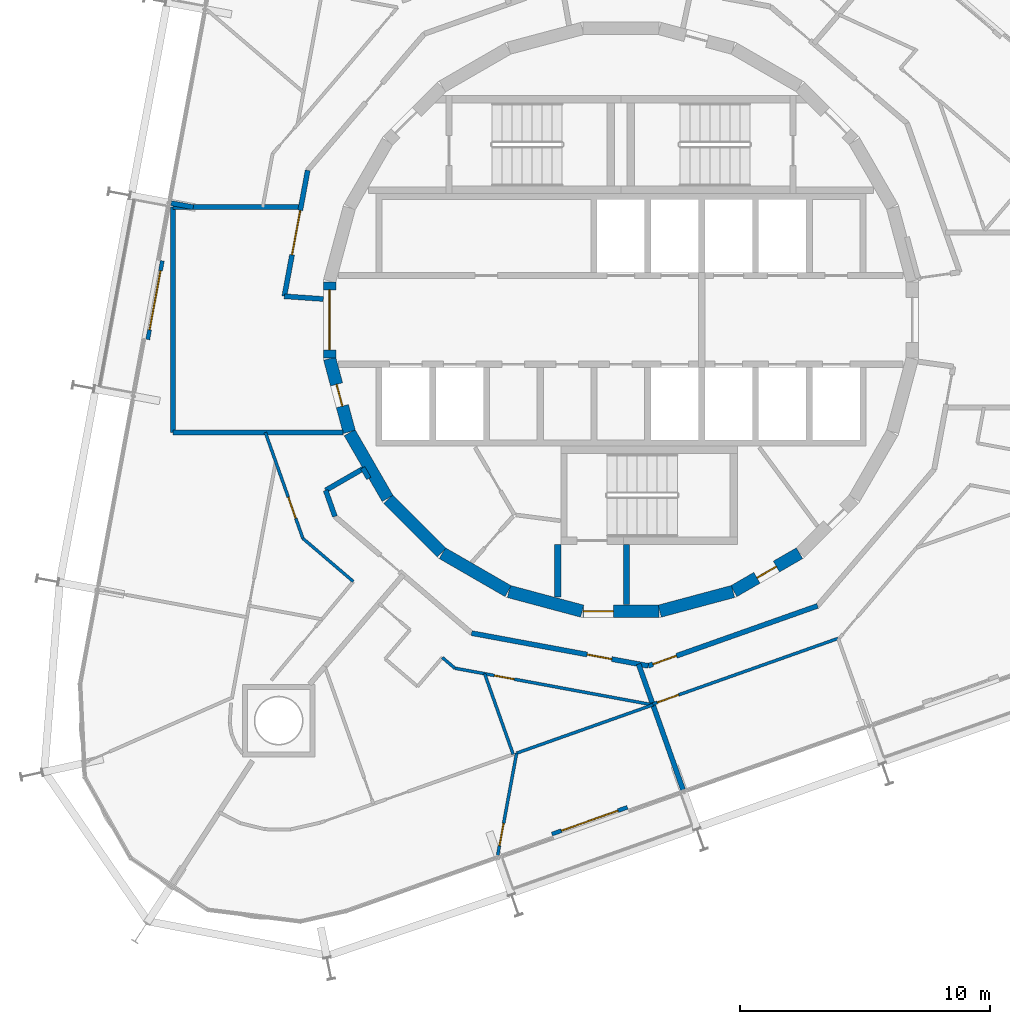
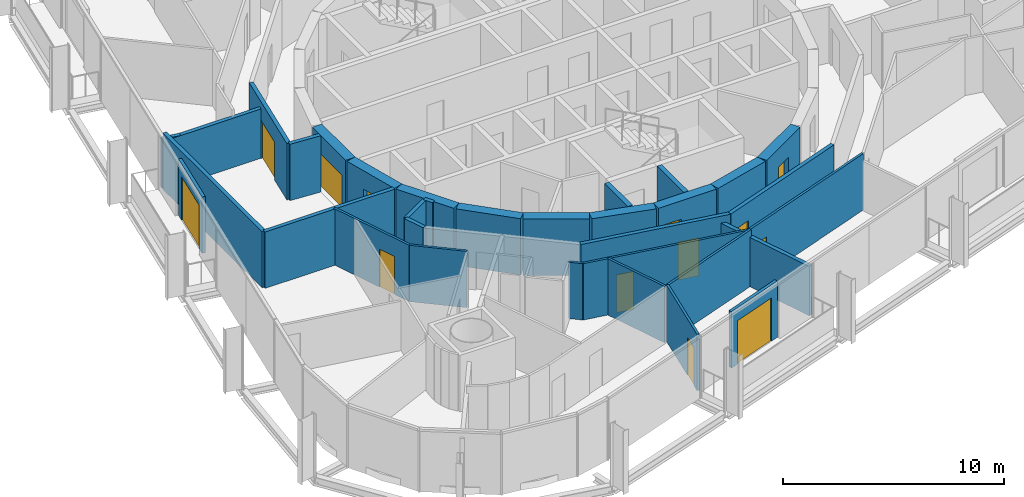
# One storey, part 11 of 17: 33 walls, 13 doors, 13 openings.
"""IFC4 building model written with IfcOpenShell, lengths in metres."""

from ifc_helpers import new_model, si_unit, direction, frame, frame_2d, origin, place, context, subcontext, project, spatial, rectangle, extrude, material, layer, layer_set, type_object, element, fill, save


model = new_model("IFC4")

# Units and contexts
model_context = context("Model", 3, precision=1e-05, world=origin(), true_north=direction((0.0, 1.0)))
body_context = subcontext(model_context, "Body", "Model", "MODEL_VIEW")
ifc_project = project(units=[si_unit("LENGTHUNIT", "METRE"), si_unit("AREAUNIT", "SQUARE_METRE"), si_unit("VOLUMEUNIT", "CUBIC_METRE"), si_unit("PLANEANGLEUNIT", "RADIAN"), si_unit("MASSUNIT", "GRAM", prefix="KILO")], contexts=[model_context])

# Site, building, storey
site_placement = place(None, origin())
site = spatial("IfcSite", under=ifc_project, at=site_placement, CompositionType="ELEMENT")
building_placement = place(site_placement, origin())
building = spatial("IfcBuilding", under=site, at=building_placement, Name="Spindle Arch Residences", CompositionType="ELEMENT")
storey_placement = place(building_placement, frame((0.0, 0.0, 158.699951171875)))
storey = spatial("IfcBuildingStorey", under=building, at=storey_placement, Name="L39", CompositionType="ELEMENT", Elevation=158.699951171875)

# Wall
ifc_material_1 = material(Name="Concrete C50/60", Category="concrete")
ifc_layer_1 = layer(ifc_material_1, 0.5)
ifc_layer_set_1 = layer_set([ifc_layer_1], Name="Core outline wall 500")
wall_type_1 = type_object("IfcWallType", Name="Core outline wall 500", PredefinedType="SHEAR", material=ifc_layer_set_1)
wall_1_placement = place(storey_placement, frame((1.5498046875, -11.642822265625, 0.0), z_axis=(0.0, 0.0, 1.0), x_axis=(0.965948410781, 0.258734743916, 0.0)))
element("IfcWall", 1, at=wall_1_placement, inside=storey, type_object=wall_type_1, Name="Core outline wall 1", PredefinedType="SHEAR", context=body_context, shape_type="SweptSolid", body=[
    extrude(rectangle(XDim=3.03271484375, YDim=0.5, at=frame_2d((1.516357421875, 0.0))), origin(), (0.0, 0.0, 1.0), 3.1201171875),
])

# Wall, opening, door
wall_2_placement = place(storey_placement, frame((4.510498046875, -10.84521484375, 0.0), z_axis=(0.0, 0.0, 1.0), x_axis=(0.865975092491, 0.500087131594, 0.0)))
wall_2 = element("IfcWall", 2, at=wall_2_placement, inside=storey, type_object=wall_type_1, Name="Core outline wall 2", PredefinedType="SHEAR", context=body_context, shape_type="SweptSolid", body=[
    extrude(rectangle(XDim=3.03271484375, YDim=0.5, at=frame_2d((1.516357421875, 0.0))), origin(), (0.0, 0.0, 1.0), 3.1201171875),
])
opening_1_placement = place(wall_2_placement, frame((1.06640625, 0.0, 0.0)))
opening_1 = element("IfcOpeningElement", 3, at=opening_1_placement, cuts=wall_2, Name="Opening R4A0-WD08", PredefinedType="OPENING", context=body_context, shape_type="SweptSolid", body=[
    extrude(rectangle(XDim=0.89990234375, YDim=2.10009765625, at=frame_2d((0.449951171875, 1.050048828125))), frame((0.0, 0.260009765625, 0.0), z_axis=(0.0, -1.0, 0.0), x_axis=(1.0, 0.0, 0.0)), (0.0, 0.0, 1.0), 0.52001953125),
])
ifc_material_2 = material(Name="Steel, fire-resisting door", Category="steel")
door_type_1 = type_object("IfcDoorType", Name="Service room door 900x2100", OperationType="SINGLE_SWING_LEFT", PredefinedType="DOOR", material=ifc_material_2)
door_1_placement = place(opening_1_placement, origin())
door_1 = element("IfcDoor", 4, at=door_1_placement, inside=storey, type_object=door_type_1, Name="Service room door R4A0-WD08", OperationType="SINGLE_SWING_RIGHT", OverallHeight=2.10009765625, OverallWidth=0.89990234375, PredefinedType="DOOR", context=body_context, shape_type="SweptSolid", body=[
    extrude(rectangle(XDim=0.89990234375, YDim=2.10009765625, at=frame_2d((0.449951171875, 1.050048828125))), frame((0.0, 0.02490234375, 0.0), z_axis=(0.0, -1.0, 0.0), x_axis=(1.0, 0.0, 0.0)), (0.0, 0.0, 1.0), 0.050048828125),
])
fill(opening_1, door_1)

wall_3_placement = place(storey_placement, frame((-11.647216796875, 1.516357421875, 0.0), z_axis=(0.0, 0.0, 1.0), x_axis=(0.0, -1.0, 0.0)))
wall_3 = element("IfcWall", 5, at=wall_3_placement, inside=storey, type_object=wall_type_1, Name="Core outline wall 18", PredefinedType="SHEAR", context=body_context, shape_type="SweptSolid", body=[
    extrude(rectangle(XDim=3.03271484375, YDim=0.5, at=frame_2d((1.516357421875, 0.0))), origin(), (0.0, 0.0, 1.0), 3.1201171875),
])
opening_2_placement = place(wall_3_placement, frame((0.31640625, 0.0, 0.0)))
opening_2 = element("IfcOpeningElement", 6, at=opening_2_placement, cuts=wall_3, Name="Opening R4A0-LE01", PredefinedType="OPENING", context=body_context, shape_type="SweptSolid", body=[
    extrude(rectangle(XDim=2.39990234375, YDim=2.10009765625, at=frame_2d((1.199951171875, 1.050048828125))), frame((0.0, 0.260009765625, 0.0), z_axis=(0.0, -1.0, 0.0), x_axis=(1.0, 0.0, 0.0)), (0.0, 0.0, 1.0), 0.52001953125),
])
ifc_material_3 = material(Name="Steel, fire-resisting door", Category="steel")
door_type_2 = type_object("IfcDoorType", Name="Lift lobby entrance door 2400x2100", OperationType="DOUBLE_DOOR_SINGLE_SWING", PredefinedType="DOOR", material=ifc_material_3)
door_2_placement = place(opening_2_placement, origin())
door_2 = element("IfcDoor", 7, at=door_2_placement, inside=storey, type_object=door_type_2, Name="Lift lobby entrance door R4A0-LE01", OperationType="DOUBLE_DOOR_SINGLE_SWING", OverallHeight=2.10009765625, OverallWidth=2.39990234375, PredefinedType="DOOR", context=body_context, shape_type="SweptSolid", body=[
    extrude(rectangle(XDim=2.39990234375, YDim=2.10009765625, at=frame_2d((1.199951171875, 1.050048828125))), frame((0.0, 0.02490234375, 0.0), z_axis=(0.0, -1.0, 0.0), x_axis=(1.0, 0.0, 0.0)), (0.0, 0.0, 1.0), 0.050048828125),
])
fill(opening_2, door_2)

wall_4_placement = place(storey_placement, frame((-11.642822265625, -1.5498046875, 0.0), z_axis=(0.0, 0.0, 1.0), x_axis=(0.258734743916, -0.965948410781, 0.0)))
wall_4 = element("IfcWall", 8, at=wall_4_placement, inside=storey, type_object=wall_type_1, Name="Core outline wall 19", PredefinedType="SHEAR", context=body_context, shape_type="SweptSolid", body=[
    extrude(rectangle(XDim=3.03271484375, YDim=0.5, at=frame_2d((1.516357421875, 0.0))), origin(), (0.0, 0.0, 1.0), 3.1201171875),
])
opening_3_placement = place(wall_4_placement, frame((1.06640625, 0.0, 0.0)))
opening_3 = element("IfcOpeningElement", 9, at=opening_3_placement, cuts=wall_4, Name="Opening R4A0-WD10", PredefinedType="OPENING", context=body_context, shape_type="SweptSolid", body=[
    extrude(rectangle(XDim=0.89990234375, YDim=2.10009765625, at=frame_2d((0.449951171875, 1.050048828125))), frame((0.0, 0.260009765625, 0.0), z_axis=(0.0, -1.0, 0.0), x_axis=(1.0, 0.0, 0.0)), (0.0, 0.0, 1.0), 0.52001953125),
])
door_3_placement = place(opening_3_placement, origin())
door_3 = element("IfcDoor", 10, at=door_3_placement, inside=storey, type_object=door_type_1, Name="Service room door R4A0-WD10", OperationType="SINGLE_SWING_RIGHT", OverallHeight=2.10009765625, OverallWidth=0.89990234375, PredefinedType="DOOR", context=body_context, shape_type="SweptSolid", body=[
    extrude(rectangle(XDim=0.89990234375, YDim=2.10009765625, at=frame_2d((0.449951171875, 1.050048828125))), frame((0.0, 0.02490234375, 0.0), z_axis=(0.0, -1.0, 0.0), x_axis=(1.0, 0.0, 0.0)), (0.0, 0.0, 1.0), 0.050048828125),
])
fill(opening_3, door_3)

# Walls
wall_5_placement = place(storey_placement, frame((-10.84521484375, -4.510498046875, 0.0), z_axis=(0.0, 0.0, 1.0), x_axis=(0.500087131594, -0.865975092491, 0.0)))
element("IfcWall", 11, at=wall_5_placement, inside=storey, type_object=wall_type_1, Name="Core outline wall 20", PredefinedType="SHEAR", context=body_context, shape_type="SweptSolid", body=[
    extrude(rectangle(XDim=3.03271484375, YDim=0.5, at=frame_2d((1.516357421875, 0.0))), origin(), (0.0, 0.0, 1.0), 3.1201171875),
])
wall_6_placement = place(storey_placement, frame((-9.30810546875, -7.163818359375, 0.0), z_axis=(0.0, 0.0, 1.0), x_axis=(0.707106781187, -0.707106781187, 0.0)))
element("IfcWall", 12, at=wall_6_placement, inside=storey, type_object=wall_type_1, Name="Core outline wall 21", PredefinedType="SHEAR", context=body_context, shape_type="SweptSolid", body=[
    extrude(rectangle(XDim=3.032470703125, YDim=0.5, at=frame_2d((1.51611328125, 0.0))), origin(), (0.0, 0.0, 1.0), 3.1201171875),
])
for number, where, z_axis, x_axis, name in (
    (13, (-7.13671875, -9.32861328125, 0.0), (0.0, 0.0, 1.0), (0.865975092491, -0.500087131594, 0.0), "Core outline wall 22"),
    (14, (-4.479248046875, -10.858154296875, 0.0), (0.0, 0.0, 1.0), (0.965948410781, -0.258734743916, 0.0), "Core outline wall 23"),
):
    element("IfcWall", number, at=place(storey_placement, frame(where, z_axis=z_axis, x_axis=x_axis)), inside=storey, type_object=wall_type_1, Name=name, PredefinedType="SHEAR", context=body_context, shape_type="SweptSolid", body=[
        extrude(rectangle(XDim=3.03271484375, YDim=0.5, at=frame_2d((1.516357421875, 0.0))), origin(), (0.0, 0.0, 1.0), 3.1201171875),
    ])

# Wall, opening, door
wall_7_placement = place(storey_placement, frame((-1.516357421875, -11.647216796875, 0.0), z_axis=(0.0, 0.0, 1.0), x_axis=(1.0, 0.0, 0.0)))
wall_7 = element("IfcWall", 15, at=wall_7_placement, inside=storey, type_object=wall_type_1, Name="Core outline wall 24", PredefinedType="SHEAR", context=body_context, shape_type="SweptSolid", body=[
    extrude(rectangle(XDim=3.03271484375, YDim=0.5, at=frame_2d((1.516357421875, 0.0))), origin(), (0.0, 0.0, 1.0), 3.1201171875),
])
opening_4_placement = place(wall_7_placement, frame((0.016357421875, 0.0, 0.0)))
opening_4 = element("IfcOpeningElement", 16, at=opening_4_placement, cuts=wall_7, Name="Opening R4A0-AD03", PredefinedType="OPENING", context=body_context, shape_type="SweptSolid", body=[
    extrude(rectangle(XDim=1.199951171875, YDim=2.10009765625, at=frame_2d((0.60009765625, 1.050048828125))), frame((0.0, 0.260009765625, 0.0), z_axis=(0.0, -1.0, 0.0), x_axis=(1.0, 0.0, 0.0)), (0.0, 0.0, 1.0), 0.52001953125),
])
ifc_material_4 = material(Name="Steel, fire-resisting door", Category="steel")
door_type_3 = type_object("IfcDoorType", Name="Stair airlock door 1200x2100", OperationType="SINGLE_SWING_LEFT", PredefinedType="DOOR", material=ifc_material_4)
door_4_placement = place(opening_4_placement, origin())
door_4 = element("IfcDoor", 17, at=door_4_placement, inside=storey, type_object=door_type_3, Name="Stair airlock door R4A0-AD03", OperationType="SINGLE_SWING_RIGHT", OverallHeight=2.10009765625, OverallWidth=1.199951171875, PredefinedType="DOOR", context=body_context, shape_type="SweptSolid", body=[
    extrude(rectangle(XDim=1.199951171875, YDim=2.10009765625, at=frame_2d((0.60009765625, 1.050048828125))), frame((0.0, 0.02490234375, 0.0), z_axis=(0.0, -1.0, 0.0), x_axis=(1.0, 0.0, 0.0)), (0.0, 0.0, 1.0), 0.050048828125),
])
fill(opening_4, door_4)

# Walls
ifc_material_5 = material(Name="Calcium silicate block, plastered")
ifc_layer_2 = layer(ifc_material_5, 0.199951171875)
ifc_layer_set_2 = layer_set([ifc_layer_2], Name="Corridor wall 200")
wall_type_2 = type_object("IfcWallType", Name="Corridor wall 200", PredefinedType="STANDARD", material=ifc_layer_set_2)
wall_8_placement = place(storey_placement, frame((-10.323486328125, -5.9140625, 0.0), z_axis=(0.0, 0.0, 1.0), x_axis=(0.500137201729, -0.865946175837, 0.0)))
element("IfcWall", 18, at=wall_8_placement, inside=storey, type_object=wall_type_2, Name="Corridor wall R4A0-W014", PredefinedType="STANDARD", context=body_context, shape_type="SweptSolid", body=[
    extrude(rectangle(XDim=0.492431640625, YDim=0.199951171875, at=frame_2d((0.24609375, 0.0))), origin(), (0.0, 0.0, 1.0), 3.1201171875),
])
wall_9_placement = place(storey_placement, frame((-10.303466796875, -5.94873046875, 0.0), z_axis=(0.0, 0.0, 1.0), x_axis=(-0.866021168401, -0.500007335828, 0.0)))
element("IfcWall", 19, at=wall_9_placement, inside=storey, type_object=wall_type_2, Name="Corridor wall R4A0-W015", PredefinedType="STANDARD", context=body_context, shape_type="SweptSolid", body=[
    extrude(rectangle(XDim=1.73095703125, YDim=0.199951171875, at=frame_2d((0.865478515625, 0.0))), origin(), (0.0, 0.0, 1.0), 3.1201171875),
])
wall_10_placement = place(storey_placement, frame((-11.802490234375, -6.814208984375, 0.0), z_axis=(0.0, 0.0, 1.0), x_axis=(0.333904297771, -0.942606980629, 0.0)))
element("IfcWall", 20, at=wall_10_placement, inside=storey, type_object=wall_type_2, Name="Corridor wall R4A0-W016", PredefinedType="STANDARD", context=body_context, shape_type="SweptSolid", body=[
    extrude(rectangle(XDim=1.10693359375, YDim=0.199951171875, at=frame_2d((0.553466796875, 0.0))), origin(), (0.0, 0.0, 1.0), 3.1201171875),
])

# Wall, opening, door
wall_11_placement = place(storey_placement, frame((-5.972412109375, -12.521240234375, 0.0), z_axis=(0.0, 0.0, 1.0), x_axis=(0.983256068163, -0.18222926335, 0.0)))
wall_11 = element("IfcWall", 21, at=wall_11_placement, inside=storey, type_object=wall_type_2, Name="Corridor wall R4A0-W018", PredefinedType="STANDARD", context=body_context, shape_type="SweptSolid", body=[
    extrude(rectangle(XDim=7.180908203125, YDim=0.199951171875, at=frame_2d((3.59033203125, 0.0))), origin(), (0.0, 0.0, 1.0), 3.1201171875),
])
opening_5_placement = place(wall_11_placement, frame((4.699951171875, 0.0, 0.0)))
opening_5 = element("IfcOpeningElement", 22, at=opening_5_placement, cuts=wall_11, Name="Opening R4A0-FD05", PredefinedType="OPENING", context=body_context, shape_type="SweptSolid", body=[
    extrude(rectangle(XDim=1.0, YDim=2.10009765625, at=frame_2d((0.5, 1.050048828125))), frame((0.0, 0.10986328125, 0.0), z_axis=(0.0, -1.0, 0.0), x_axis=(1.0, 0.0, 0.0)), (0.0, 0.0, 1.0), 0.219970703125),
])
ifc_material_6 = material(Name="Timber, fire-resisting door set", Category="wood")
door_type_4 = type_object("IfcDoorType", Name="Flat entrance door 1000x2100", OperationType="NOTDEFINED", PredefinedType="DOOR", material=ifc_material_6)
door_5_placement = place(opening_5_placement, origin())
door_5 = element("IfcDoor", 23, at=door_5_placement, inside=storey, type_object=door_type_4, Name="Flat entrance door R4A0-FD05", OperationType="SINGLE_SWING_LEFT", OverallHeight=2.10009765625, OverallWidth=1.0, PredefinedType="DOOR", context=body_context, shape_type="SweptSolid", body=[
    extrude(rectangle(XDim=1.0, YDim=2.10009765625, at=frame_2d((0.5, 1.050048828125))), frame((0.0, 0.02490234375, 0.0), z_axis=(0.0, -1.0, 0.0), x_axis=(1.0, 0.0, 0.0)), (0.0, 0.0, 1.0), 0.050048828125),
])
fill(opening_5, door_5)

wall_12_placement = place(storey_placement, frame((1.08837890625, -13.829833984375, 0.0), z_axis=(0.0, 0.0, 1.0), x_axis=(0.942648397945, 0.333787354241, 0.0)))
wall_12 = element("IfcWall", 24, at=wall_12_placement, inside=storey, type_object=wall_type_2, Name="Corridor wall R4A0-W019", PredefinedType="STANDARD", context=body_context, shape_type="SweptSolid", body=[
    extrude(rectangle(XDim=7.18115234375, YDim=0.199951171875, at=frame_2d((3.590576171875, 0.0))), origin(), (0.0, 0.0, 1.0), 3.1201171875),
])
opening_6_placement = place(wall_12_placement, frame((0.199951171875, 0.0, 0.0)))
opening_6 = element("IfcOpeningElement", 25, at=opening_6_placement, cuts=wall_12, Name="Opening R4A0-FD06", PredefinedType="OPENING", context=body_context, shape_type="SweptSolid", body=[
    extrude(rectangle(XDim=1.0, YDim=2.10009765625, at=frame_2d((0.5, 1.050048828125))), frame((0.0, 0.10986328125, 0.0), z_axis=(0.0, -1.0, 0.0), x_axis=(1.0, 0.0, 0.0)), (0.0, 0.0, 1.0), 0.219970703125),
])
door_6_placement = place(opening_6_placement, origin())
door_6 = element("IfcDoor", 26, at=door_6_placement, inside=storey, type_object=door_type_4, Name="Flat entrance door R4A0-FD06", OperationType="SINGLE_SWING_LEFT", OverallHeight=2.10009765625, OverallWidth=1.0, PredefinedType="DOOR", context=body_context, shape_type="SweptSolid", body=[
    extrude(rectangle(XDim=1.0, YDim=2.10009765625, at=frame_2d((0.5, 1.050048828125))), frame((0.0, 0.02490234375, 0.0), z_axis=(0.0, -1.0, 0.0), x_axis=(1.0, 0.0, 0.0)), (0.0, 0.0, 1.0), 0.050048828125),
])
fill(opening_6, door_6)

ifc_material_7 = material(Name="Plasterboard on steel studs", Category="steel")
ifc_layer_3 = layer(ifc_material_7, 0.1201171875)
ifc_layer_set_3 = layer_set([ifc_layer_3], Name="Flat partition 120")
wall_type_3 = type_object("IfcWallType", Name="Flat partition 120", PredefinedType="PARTITIONING", material=ifc_layer_set_3)
wall_13_placement = place(storey_placement, frame((-14.213134765625, -4.5, 0.0), z_axis=(0.0, 0.0, 1.0), x_axis=(0.333802904542, -0.942642891513, 0.0)))
wall_13 = element("IfcWall", 27, at=wall_13_placement, inside=storey, type_object=wall_type_3, Name="Flat partition R4A0-W085", PredefinedType="PARTITIONING", context=body_context, shape_type="SweptSolid", body=[
    extrude(rectangle(XDim=4.4951171875, YDim=0.1201171875, at=frame_2d((2.24755859375, 0.0))), origin(), (0.0, 0.0, 1.0), 3.1201171875),
])
opening_7_placement = place(wall_13_placement, frame((2.744384765625, 0.0, 0.0)))
opening_7 = element("IfcOpeningElement", 28, at=opening_7_placement, cuts=wall_13, Name="Opening R4A0-ID16", PredefinedType="OPENING", context=body_context, shape_type="SweptSolid", body=[
    extrude(rectangle(XDim=0.89990234375, YDim=2.10009765625, at=frame_2d((0.449951171875, 1.050048828125))), frame((0.0, 0.070068359375, 0.0), z_axis=(0.0, -1.0, 0.0), x_axis=(1.0, 0.0, 0.0)), (0.0, 0.0, 1.0), 0.14013671875),
])
ifc_material_8 = material(Name="Timber door set", Category="wood")
door_type_5 = type_object("IfcDoorType", Name="Room door 900x2100", OperationType="NOTDEFINED", PredefinedType="DOOR", material=ifc_material_8)
door_7_placement = place(opening_7_placement, origin())
door_7 = element("IfcDoor", 29, at=door_7_placement, inside=storey, type_object=door_type_5, Name="Room door R4A0-ID16", OperationType="SINGLE_SWING_RIGHT", OverallHeight=2.10009765625, OverallWidth=0.89990234375, PredefinedType="DOOR", context=body_context, shape_type="SweptSolid", body=[
    extrude(rectangle(XDim=0.89990234375, YDim=2.10009765625, at=frame_2d((0.449951171875, 1.050048828125))), frame((0.0, 0.02490234375, 0.0), z_axis=(0.0, -1.0, 0.0), x_axis=(1.0, 0.0, 0.0)), (0.0, 0.0, 1.0), 0.050048828125),
])
fill(opening_7, door_7)

# Walls
wall_14_placement = place(storey_placement, frame((-12.712646484375, -8.7373046875, 0.0), z_axis=(0.0, 0.0, 1.0), x_axis=(0.760400223405, -0.649454771517, 0.0)))
element("IfcWall", 30, at=wall_14_placement, inside=storey, type_object=wall_type_3, Name="Flat partition R4A0-W086", PredefinedType="PARTITIONING", context=body_context, shape_type="SweptSolid", body=[
    extrude(rectangle(XDim=2.6494140625, YDim=0.1201171875, at=frame_2d((1.32470703125, 0.0))), origin(), (0.0, 0.0, 1.0), 3.1201171875),
])
wall_15_placement = place(storey_placement, frame((-7.14013671875, -13.49658203125, 0.0), z_axis=(0.0, 0.0, 1.0), x_axis=(0.760515230334, -0.649320093967, 0.0)))
element("IfcWall", 31, at=wall_15_placement, inside=storey, type_object=wall_type_3, Name="Flat partition R4A0-W100", PredefinedType="PARTITIONING", context=body_context, shape_type="SweptSolid", body=[
    extrude(rectangle(XDim=0.656494140625, YDim=0.1201171875, at=frame_2d((0.328125, 0.0))), origin(), (0.0, 0.0, 1.0), 3.1201171875),
])

# Wall, opening, door
wall_16_placement = place(storey_placement, frame((-6.640869140625, -13.9228515625, 0.0), z_axis=(0.0, 0.0, 1.0), x_axis=(0.983250157272, -0.182261153912, 0.0)))
wall_16 = element("IfcWall", 32, at=wall_16_placement, inside=storey, type_object=wall_type_3, Name="Flat partition R4A0-W101", PredefinedType="PARTITIONING", context=body_context, shape_type="SweptSolid", body=[
    extrude(rectangle(XDim=7.98486328125, YDim=0.1201171875, at=frame_2d((3.992431640625, 0.0))), origin(), (0.0, 0.0, 1.0), 3.1201171875),
])
opening_8_placement = place(wall_16_placement, frame((1.6123046875, 0.0, 0.0)))
opening_8 = element("IfcOpeningElement", 33, at=opening_8_placement, cuts=wall_16, Name="Opening R4A0-BD05", PredefinedType="OPENING", context=body_context, shape_type="SweptSolid", body=[
    extrude(rectangle(XDim=0.800048828125, YDim=2.10009765625, at=frame_2d((0.39990234375, 1.050048828125))), frame((0.0, 0.070068359375, 0.0), z_axis=(0.0, -1.0, 0.0), x_axis=(1.0, 0.0, 0.0)), (0.0, 0.0, 1.0), 0.14013671875),
])
ifc_material_9 = material(Name="Timber door set", Category="wood")
door_type_6 = type_object("IfcDoorType", Name="Bathroom door 800x2100", OperationType="NOTDEFINED", PredefinedType="DOOR", material=ifc_material_9)
door_8_placement = place(opening_8_placement, origin())
door_8 = element("IfcDoor", 34, at=door_8_placement, inside=storey, type_object=door_type_6, Name="Bathroom door R4A0-BD05", OperationType="SINGLE_SWING_LEFT", OverallHeight=2.10009765625, OverallWidth=0.800048828125, PredefinedType="DOOR", context=body_context, shape_type="SweptSolid", body=[
    extrude(rectangle(XDim=0.800048828125, YDim=2.10009765625, at=frame_2d((0.39990234375, 1.050048828125))), frame((0.0, 0.02490234375, 0.0), z_axis=(0.0, -1.0, 0.0), x_axis=(1.0, 0.0, 0.0)), (0.0, 0.0, 1.0), 0.050048828125),
])
fill(opening_8, door_8)

# Wall
wall_17_placement = place(storey_placement, frame((-4.3076171875, -17.366943359375, 0.0), z_axis=(0.0, 0.0, 1.0), x_axis=(-0.333802202677, 0.942643140052, 0.0)))
element("IfcWall", 35, at=wall_17_placement, inside=storey, type_object=wall_type_3, Name="Flat partition R4A0-W108", PredefinedType="PARTITIONING", context=body_context, shape_type="SweptSolid", body=[
    extrude(rectangle(XDim=3.419189453125, YDim=0.1201171875, at=frame_2d((1.70947265625, 0.0))), origin(), (0.0, 0.0, 1.0), 3.1201171875),
])

# Wall, opening, door
wall_18_placement = place(storey_placement, frame((-4.927490234375, -21.405517578125, 0.0), z_axis=(0.0, 0.0, 1.0), x_axis=(0.182238575099, 0.983254342348, 0.0)))
wall_18 = element("IfcWall", 36, at=wall_18_placement, inside=storey, type_object=wall_type_3, Name="Flat partition R4A0-W109", PredefinedType="PARTITIONING", context=body_context, shape_type="SweptSolid", body=[
    extrude(rectangle(XDim=4.156982421875, YDim=0.1201171875, at=frame_2d((2.07861328125, 0.0))), origin(), (0.0, 0.0, 1.0), 3.1201171875),
])
opening_9_placement = place(wall_18_placement, frame((0.39990234375, 0.0, 0.0)))
opening_9 = element("IfcOpeningElement", 37, at=opening_9_placement, cuts=wall_18, Name="Opening R4A0-ID23", PredefinedType="OPENING", context=body_context, shape_type="SweptSolid", body=[
    extrude(rectangle(XDim=0.89990234375, YDim=2.10009765625, at=frame_2d((0.449951171875, 1.050048828125))), frame((0.0, 0.070068359375, 0.0), z_axis=(0.0, -1.0, 0.0), x_axis=(1.0, 0.0, 0.0)), (0.0, 0.0, 1.0), 0.14013671875),
])
door_9_placement = place(opening_9_placement, origin())
door_9 = element("IfcDoor", 38, at=door_9_placement, inside=storey, type_object=door_type_5, Name="Room door R4A0-ID23", OperationType="SINGLE_SWING_RIGHT", OverallHeight=2.10009765625, OverallWidth=0.89990234375, PredefinedType="DOOR", context=body_context, shape_type="SweptSolid", body=[
    extrude(rectangle(XDim=0.89990234375, YDim=2.10009765625, at=frame_2d((0.449951171875, 1.050048828125))), frame((0.0, 0.02490234375, 0.0), z_axis=(0.0, -1.0, 0.0), x_axis=(1.0, 0.0, 0.0)), (0.0, 0.0, 1.0), 0.050048828125),
])
fill(opening_9, door_9)

# Wall
wall_19_placement = place(storey_placement, frame((-4.169921875, -17.318115234375, 0.0), z_axis=(0.0, 0.0, 1.0), x_axis=(0.942641343532, 0.333807275931, 0.0)))
element("IfcWall", 39, at=wall_19_placement, inside=storey, type_object=wall_type_3, Name="Flat partition R4A0-W110", PredefinedType="PARTITIONING", context=body_context, shape_type="SweptSolid", body=[
    extrude(rectangle(XDim=5.781494140625, YDim=0.1201171875, at=frame_2d((2.890625, 0.0))), origin(), (0.0, 0.0, 1.0), 3.1201171875),
])

# Wall, opening, door
wall_20_placement = place(storey_placement, frame((1.26904296875, -15.357177734375, 0.0), z_axis=(0.0, 0.0, 1.0), x_axis=(0.942639442898, 0.333812643101, 0.0)))
wall_20 = element("IfcWall", 40, at=wall_20_placement, inside=storey, type_object=wall_type_3, Name="Flat partition R4A0-W111", PredefinedType="PARTITIONING", context=body_context, shape_type="SweptSolid", body=[
    extrude(rectangle(XDim=7.860107421875, YDim=0.1201171875, at=frame_2d((3.93017578125, 0.0))), origin(), (0.0, 0.0, 1.0), 3.1201171875),
])
opening_10_placement = place(wall_20_placement, frame((0.199951171875, 0.0, 0.0)))
opening_10 = element("IfcOpeningElement", 41, at=opening_10_placement, cuts=wall_20, Name="Opening R4A0-ID25", PredefinedType="OPENING", context=body_context, shape_type="SweptSolid", body=[
    extrude(rectangle(XDim=0.89990234375, YDim=2.10009765625, at=frame_2d((0.449951171875, 1.050048828125))), frame((0.0, 0.070068359375, 0.0), z_axis=(0.0, -1.0, 0.0), x_axis=(1.0, 0.0, 0.0)), (0.0, 0.0, 1.0), 0.14013671875),
])
door_10_placement = place(opening_10_placement, origin())
door_10 = element("IfcDoor", 42, at=door_10_placement, inside=storey, type_object=door_type_5, Name="Room door R4A0-ID25", OperationType="SINGLE_SWING_LEFT", OverallHeight=2.10009765625, OverallWidth=0.89990234375, PredefinedType="DOOR", context=body_context, shape_type="SweptSolid", body=[
    extrude(rectangle(XDim=0.89990234375, YDim=2.10009765625, at=frame_2d((0.449951171875, 1.050048828125))), frame((0.0, 0.02490234375, 0.0), z_axis=(0.0, -1.0, 0.0), x_axis=(1.0, 0.0, 0.0)), (0.0, 0.0, 1.0), 0.050048828125),
])
fill(opening_10, door_10)

# Walls
ifc_material_10 = material(Name="Calcium silicate block, plastered")
ifc_layer_4 = layer(ifc_material_10, 0.199951171875)
ifc_layer_set_4 = layer_set([ifc_layer_4], Name="Flat party wall 200 under beam 2730")
wall_type_4 = type_object("IfcWallType", Name="Flat party wall 200 under beam 2730", PredefinedType="STANDARD", material=ifc_layer_set_4)
wall_21_placement = place(storey_placement, frame((-17.98388671875, 4.665283203125, 0.0), z_axis=(0.0, 0.0, 1.0), x_axis=(0.98328378843, -0.182079629313, 0.0)))
element("IfcWall", 43, at=wall_21_placement, inside=storey, type_object=wall_type_4, Name="Flat party wall R4A0-W034", PredefinedType="STANDARD", context=body_context, shape_type="SweptSolid", body=[
    extrude(rectangle(XDim=0.90771484375, YDim=0.199951171875, at=frame_2d((0.453857421875, 0.0))), origin(), (0.0, 0.0, 1.0), 2.72998046875),
])
wall_22_placement = place(storey_placement, frame((2.481689453125, -18.78173828125, 0.0), z_axis=(0.0, 0.0, 1.0), x_axis=(-0.333807281402, 0.942641341594, 0.0)))
element("IfcWall", 44, at=wall_22_placement, inside=storey, type_object=wall_type_4, Name="Flat party wall R4A0-W038", PredefinedType="STANDARD", context=body_context, shape_type="SweptSolid", body=[
    extrude(rectangle(XDim=5.328857421875, YDim=0.199951171875, at=frame_2d((2.66455078125, 0.0))), origin(), (0.0, 0.0, 1.0), 2.72998046875),
])

# Wall, opening, door
ifc_material_11 = material(Name="Non-combustible mineral wool insulated aluminium faced external wall (K0)", Category="aluminium")
ifc_layer_5 = layer(ifc_material_11, 0.159912109375)
ifc_layer_set_5 = layer_set([ifc_layer_5], Name="Insulated external wall panel 160")
wall_type_5 = type_object("IfcWallType", Name="Insulated external wall panel 160", PredefinedType="STANDARD", material=ifc_layer_set_5)
wall_23_placement = place(storey_placement, frame((-18.329833984375, 2.35986328125, 0.0), z_axis=(0.0, 0.0, 1.0), x_axis=(-0.18226136951, -0.983250117307, 0.0)))
wall_23 = element("IfcWall", 45, at=wall_23_placement, inside=storey, type_object=wall_type_5, Name="External wall L39 bay 15", PredefinedType="STANDARD", context=body_context, shape_type="SweptSolid", body=[
    extrude(rectangle(XDim=3.2001953125, YDim=0.159912109375, at=frame_2d((1.60009765625, 0.0))), origin(), (0.0, 0.0, 1.0), 3.1201171875),
])
opening_11_placement = place(wall_23_placement, frame((0.39990234375, 0.0, 0.0)))
opening_11 = element("IfcOpeningElement", 46, at=opening_11_placement, cuts=wall_23, Name="Opening BD15", PredefinedType="OPENING", context=body_context, shape_type="SweptSolid", body=[
    extrude(rectangle(XDim=2.39990234375, YDim=2.39990234375, at=frame_2d((1.199951171875, 1.199951171875))), frame((0.0, 0.08984375, 0.0), z_axis=(0.0, -1.0, 0.0), x_axis=(1.0, 0.0, 0.0)), (0.0, 0.0, 1.0), 0.179931640625),
])
ifc_material_12 = material(Name="Bronze aluminium frame, tinted double glazing", Category="aluminium")
door_type_7 = type_object("IfcDoorType", Name="Sliding glazed balcony door 2400x2400", OperationType="DOUBLE_DOOR_SLIDING", PredefinedType="DOOR", material=ifc_material_12)
door_11_placement = place(opening_11_placement, origin())
door_11 = element("IfcDoor", 47, at=door_11_placement, inside=storey, type_object=door_type_7, Name="Balcony door BD15", OperationType="DOUBLE_DOOR_SLIDING", OverallHeight=2.39990234375, OverallWidth=2.39990234375, PredefinedType="DOOR", context=body_context, shape_type="SweptSolid", body=[
    extrude(rectangle(XDim=2.39990234375, YDim=2.39990234375, at=frame_2d((1.199951171875, 1.199951171875))), frame((0.0, 0.02490234375, 0.0), z_axis=(0.0, -1.0, 0.0), x_axis=(1.0, 0.0, 0.0)), (0.0, 0.0, 1.0), 0.050048828125),
])
fill(opening_11, door_11)

wall_24_placement = place(storey_placement, frame((-2.7578125, -20.55224609375, 0.0), z_axis=(0.0, 0.0, 1.0), x_axis=(0.94265323131, 0.333773704029, 0.0)))
wall_24 = element("IfcWall", 48, at=wall_24_placement, inside=storey, type_object=wall_type_5, Name="External wall L39 bay 21", PredefinedType="STANDARD", context=body_context, shape_type="SweptSolid", body=[
    extrude(rectangle(XDim=3.2001953125, YDim=0.159912109375, at=frame_2d((1.60009765625, 0.0))), origin(), (0.0, 0.0, 1.0), 3.1201171875),
])
opening_12_placement = place(wall_24_placement, frame((0.39990234375, 0.0, 0.0)))
opening_12 = element("IfcOpeningElement", 49, at=opening_12_placement, cuts=wall_24, Name="Opening BD21", PredefinedType="OPENING", context=body_context, shape_type="SweptSolid", body=[
    extrude(rectangle(XDim=2.39990234375, YDim=2.39990234375, at=frame_2d((1.199951171875, 1.199951171875))), frame((0.0, 0.08984375, 0.0), z_axis=(0.0, -1.0, 0.0), x_axis=(1.0, 0.0, 0.0)), (0.0, 0.0, 1.0), 0.179931640625),
])
door_12_placement = place(opening_12_placement, origin())
door_12 = element("IfcDoor", 50, at=door_12_placement, inside=storey, type_object=door_type_7, Name="Balcony door BD21", OperationType="DOUBLE_DOOR_SLIDING", OverallHeight=2.39990234375, OverallWidth=2.39990234375, PredefinedType="DOOR", context=body_context, shape_type="SweptSolid", body=[
    extrude(rectangle(XDim=2.39990234375, YDim=2.39990234375, at=frame_2d((1.199951171875, 1.199951171875))), frame((0.0, 0.02490234375, 0.0), z_axis=(0.0, -1.0, 0.0), x_axis=(1.0, 0.0, 0.0)), (0.0, 0.0, 1.0), 0.050048828125),
])
fill(opening_12, door_12)

ifc_material_13 = material(Name="Calcium silicate block, plastered")
ifc_layer_6 = layer(ifc_material_13, 0.199951171875)
ifc_layer_set_6 = layer_set([ifc_layer_6], Name="Lift lobby bay wall 200")
wall_type_6 = type_object("IfcWallType", Name="Lift lobby bay wall 200", PredefinedType="STANDARD", material=ifc_layer_set_6)
wall_25_placement = place(storey_placement, frame((-12.521240234375, 5.972412109375, 0.0), z_axis=(0.0, 0.0, 1.0), x_axis=(-0.182251559718, -0.983251935661, 0.0)))
wall_25 = element("IfcWall", 51, at=wall_25_placement, inside=storey, type_object=wall_type_6, Name="Lift lobby bay wall R4A0-W007", PredefinedType="STANDARD", context=body_context, shape_type="SweptSolid", body=[
    extrude(rectangle(XDim=5.1171875, YDim=0.199951171875, at=frame_2d((2.55859375, 0.0))), origin(), (0.0, 0.0, 1.0), 3.1201171875),
])
opening_13_placement = place(wall_25_placement, frame((1.62744140625, 0.0, 0.0)))
opening_13 = element("IfcOpeningElement", 52, at=opening_13_placement, cuts=wall_25, Name="Opening R4A0-LB01", PredefinedType="OPENING", context=body_context, shape_type="SweptSolid", body=[
    extrude(rectangle(XDim=1.800048828125, YDim=2.10009765625, at=frame_2d((0.89990234375, 1.050048828125))), frame((0.0, 0.10986328125, 0.0), z_axis=(0.0, -1.0, 0.0), x_axis=(1.0, 0.0, 0.0)), (0.0, 0.0, 1.0), 0.219970703125),
])
ifc_material_14 = material(Name="Steel, fire-resisting door", Category="steel")
door_type_8 = type_object("IfcDoorType", Name="Lift lobby bay door 1800x2100", OperationType="NOTDEFINED", PredefinedType="DOOR", material=ifc_material_14)
door_13_placement = place(opening_13_placement, origin())
door_13 = element("IfcDoor", 53, at=door_13_placement, inside=storey, type_object=door_type_8, Name="Lift lobby bay door R4A0-LB01", OperationType="DOUBLE_DOOR_SINGLE_SWING", OverallHeight=2.10009765625, OverallWidth=1.800048828125, PredefinedType="DOOR", context=body_context, shape_type="SweptSolid", body=[
    extrude(rectangle(XDim=1.800048828125, YDim=2.10009765625, at=frame_2d((0.89990234375, 1.050048828125))), frame((0.0, 0.02490234375, 0.0), z_axis=(0.0, -1.0, 0.0), x_axis=(1.0, 0.0, 0.0)), (0.0, 0.0, 1.0), 0.050048828125),
])
fill(opening_13, door_13)

# Walls
wall_26_placement = place(storey_placement, frame((-13.453857421875, 0.94091796875, 0.0), z_axis=(0.0, 0.0, 1.0), x_axis=(0.99755155062, -0.069934997354, 0.0)))
element("IfcWall", 54, at=wall_26_placement, inside=storey, type_object=wall_type_6, Name="Lift lobby bay wall R4A0-W008", PredefinedType="STANDARD", context=body_context, shape_type="SweptSolid", body=[
    extrude(rectangle(XDim=1.560546875, YDim=0.199951171875, at=frame_2d((0.7802734375, 0.0))), origin(), (0.0, 0.0, 1.0), 3.1201171875),
])
wall_27_placement = place(storey_placement, frame((-17.89990234375, -4.5, 0.0), z_axis=(0.0, 0.0, 1.0), x_axis=(1.0, 0.0, 0.0)))
element("IfcWall", 55, at=wall_27_placement, inside=storey, type_object=wall_type_6, Name="Lift lobby bay wall R4A0-W022", PredefinedType="STANDARD", context=body_context, shape_type="SweptSolid", body=[
    extrude(rectangle(XDim=6.78857421875, YDim=0.199951171875, at=frame_2d((3.394287109375, 0.0))), origin(), (0.0, 0.0, 1.0), 3.1201171875),
])
wall_28_placement = place(storey_placement, frame((-17.89990234375, 4.5, 0.0), z_axis=(0.0, 0.0, 1.0), x_axis=(0.0, -1.0, 0.0)))
element("IfcWall", 56, at=wall_28_placement, inside=storey, type_object=wall_type_6, Name="Lift lobby bay wall R4A0-W023", PredefinedType="STANDARD", context=body_context, shape_type="SweptSolid", body=[
    extrude(rectangle(XDim=9.0, YDim=0.199951171875, at=frame_2d((4.5, 0.0))), origin(), (0.0, 0.0, 1.0), 3.1201171875),
])
ifc_material_15 = material(Name="Calcium silicate block, plastered")
ifc_layer_7 = layer(ifc_material_15, 0.199951171875)
ifc_layer_set_7 = layer_set([ifc_layer_7], Name="Lift lobby bay wall 200 under beam 2730")
wall_type_7 = type_object("IfcWallType", Name="Lift lobby bay wall 200 under beam 2730", PredefinedType="STANDARD", material=ifc_layer_set_7)
wall_29_placement = place(storey_placement, frame((-12.794189453125, 4.5, 0.0), z_axis=(0.0, 0.0, 1.0), x_axis=(-1.0, 0.0, 0.0)))
element("IfcWall", 57, at=wall_29_placement, inside=storey, type_object=wall_type_7, Name="Lift lobby bay wall R4A0-W021", PredefinedType="STANDARD", context=body_context, shape_type="SweptSolid", body=[
    extrude(rectangle(XDim=5.105712890625, YDim=0.199951171875, at=frame_2d((2.552734375, 0.0))), origin(), (0.0, 0.0, 1.0), 2.72998046875),
])
ifc_material_16 = material(Name="Concrete C40/50", Category="concrete")
ifc_layer_8 = layer(ifc_material_16, 0.25)
ifc_layer_set_8 = layer_set([ifc_layer_8], Name="Stair airlock wall 250")
wall_type_8 = type_object("IfcWallType", Name="Stair airlock wall 250", PredefinedType="SHEAR", material=ifc_layer_set_8)
wall_30_placement = place(storey_placement, frame((-2.52490234375, -8.969970703125, 0.0), z_axis=(0.0, 0.0, 1.0), x_axis=(0.0, -1.0, 0.0)))
element("IfcWall", 58, at=wall_30_placement, inside=storey, type_object=wall_type_8, Name="Stair ST-3 airlock wall W", PredefinedType="SHEAR", context=body_context, shape_type="SweptSolid", body=[
    extrude(rectangle(XDim=2.110107421875, YDim=0.25, at=frame_2d((1.05517578125, 0.0))), origin(), (0.0, 0.0, 1.0), 3.1201171875),
])
wall_31_placement = place(storey_placement, frame((0.22509765625, -8.969970703125, 0.0), z_axis=(0.0, 0.0, 1.0), x_axis=(0.0, -1.0, 0.0)))
element("IfcWall", 59, at=wall_31_placement, inside=storey, type_object=wall_type_8, Name="Stair ST-3 airlock wall E", PredefinedType="SHEAR", context=body_context, shape_type="SweptSolid", body=[
    extrude(rectangle(XDim=2.409912109375, YDim=0.25, at=frame_2d((1.205078125, 0.0))), origin(), (0.0, 0.0, 1.0), 3.1201171875),
])

save(model, "model.ifc")
